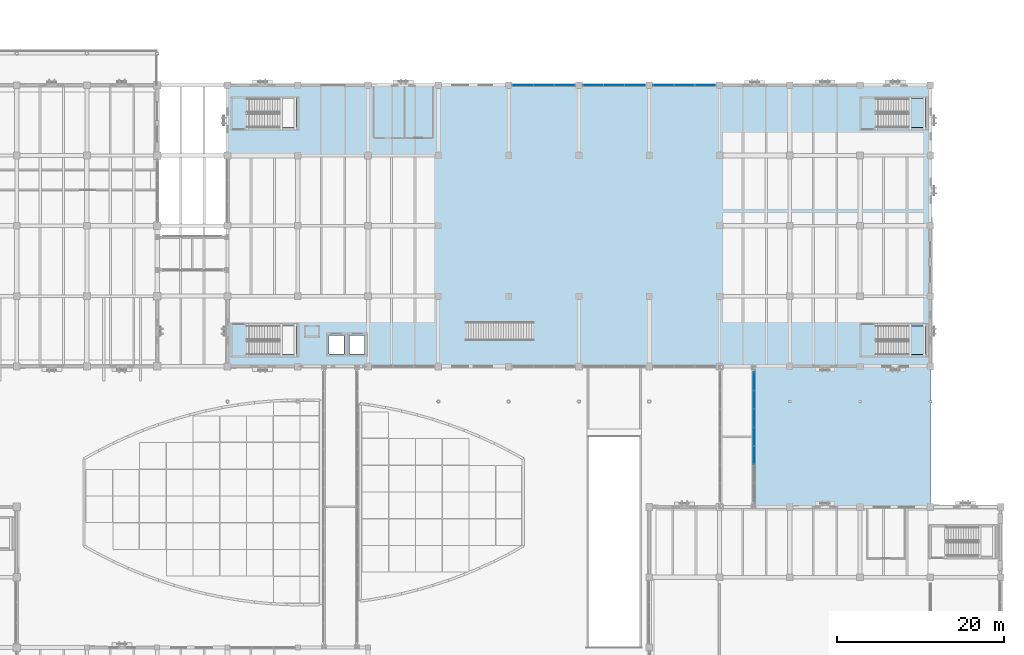
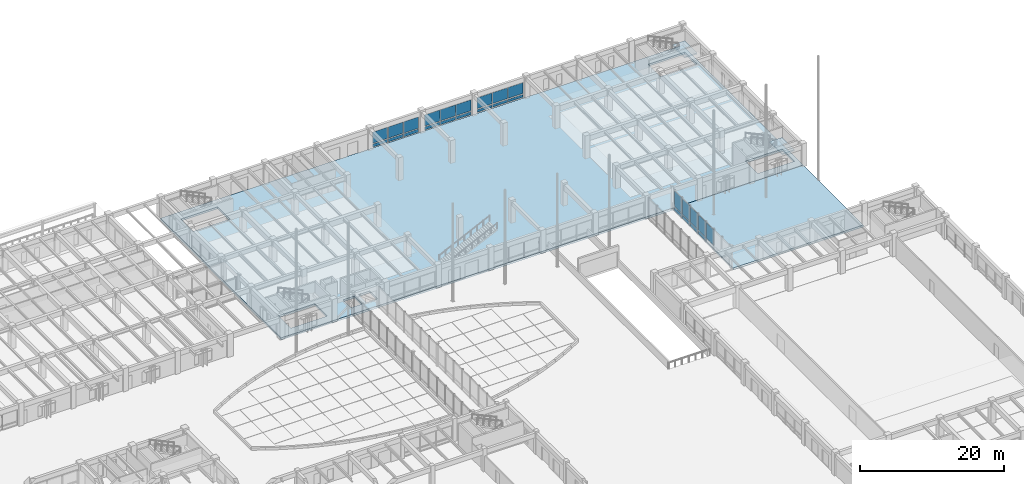
# One storey, part 71 of 135: 27 plates, 4 slabs, 6 elements without a shape of their own.
"""IFC4 building model written with IfcOpenShell, lengths in metres."""

from ifc_helpers import new_model, si_unit, direction, frame, origin, origin_2d, place, context, subcontext, project, spatial, polyline, rectangle, outline, extrude, material, layer, layer_set, type_object, element, aggregate, save


model = new_model("IFC4")

# Units and contexts
model_context = context("Model", 3, precision=1e-05, world=origin(), true_north=direction((0.0, 1.0)))
body_context = subcontext(model_context, "Body", "Model", "MODEL_VIEW")
ifc_project = project(units=[si_unit("LENGTHUNIT", "METRE"), si_unit("AREAUNIT", "SQUARE_METRE"), si_unit("VOLUMEUNIT", "CUBIC_METRE"), si_unit("PLANEANGLEUNIT", "RADIAN"), si_unit("MASSUNIT", "GRAM", prefix="KILO")], contexts=[model_context])

# Site, building, storey
site_placement = place(None, origin())
site = spatial("IfcSite", under=ifc_project, at=site_placement, CompositionType="ELEMENT")
building_placement = place(site_placement, origin())
building = spatial("IfcBuilding", under=site, at=building_placement, Name="Cumbredor Promenade Congress Hotel", CompositionType="ELEMENT")
storey_placement = place(building_placement, origin())
storey = spatial("IfcBuildingStorey", under=building, at=storey_placement, Name="L00", CompositionType="ELEMENT", Elevation=0.0)

# Stair, slab
ifc_material_1 = material(Name="Concrete C40/50", Category="concrete")
stair_type = type_object("IfcStairType", Name="Protected Dog-Leg Exit Stair ST-T3 1650mm", PredefinedType="HALF_TURN_STAIR", material=ifc_material_1)
stair_1_placement = place(storey_placement, origin())
stair_1 = element("IfcStair", 1, at=stair_1_placement, inside=storey, type_object=stair_type, Name="L00 Protected Exit Stair ST-14", PredefinedType="HALF_TURN_STAIR")
ifc_layer_1 = layer(ifc_material_1, 0.199951171875, Name="Concrete C40/50", Category="concrete")
ifc_layer_set_1 = layer_set([ifc_layer_1], Name="Concrete C40/50")
slab_type_1 = type_object("IfcSlabType", Name="Concrete Stair Landing Slab 200mm", PredefinedType="LANDING", material=ifc_layer_set_1)
slab_1_placement = place(storey_placement, frame((0.0, 0.0, 1.760009765625)))
slab_1 = element("IfcSlab", 2, at=slab_1_placement, type_object=slab_type_1, Name="ST-14 landing 1", PredefinedType="LANDING", context=body_context, shape_type="SweptSolid", body=[
    extrude(outline(polyline([(173.820068359375, 85.39990234375), (175.820068359375, 85.39990234375), (175.820068359375, 88.85009765625), (173.820068359375, 88.85009765625), (173.820068359375, 85.39990234375)])), origin(), (0.0, 0.0, 1.0), 0.199951171875),
])
aggregate(stair_1, [slab_1])

stair_2_placement = place(storey_placement, origin())
stair_2 = element("IfcStair", 3, at=stair_2_placement, inside=storey, type_object=stair_type, Name="L00 Protected Exit Stair ST-16", PredefinedType="HALF_TURN_STAIR")
slab_2_placement = place(storey_placement, frame((0.0, 0.0, 1.760009765625)))
slab_2 = element("IfcSlab", 4, at=slab_2_placement, type_object=slab_type_1, Name="ST-16 landing 1", PredefinedType="LANDING", context=body_context, shape_type="SweptSolid", body=[
    extrude(outline(polyline([(173.820068359375, 112.550048828125), (175.820068359375, 112.550048828125), (175.820068359375, 116.0), (173.820068359375, 116.0), (173.820068359375, 112.550048828125)])), origin(), (0.0, 0.0, 1.0), 0.199951171875),
])
aggregate(stair_2, [slab_2])

# Curtain wall, plates
ifc_material_2 = material(Name="Thermally broken anodized aluminium and low-E glass", Category="aluminium")
curtain_wall_type_1 = type_object("IfcCurtainWallType", Name="Unitised Bridge Glazing Screen CW-05", PredefinedType="NOTDEFINED", material=ifc_material_2)
curtain_wall_1_placement = place(storey_placement, origin())
curtain_wall_1 = element("IfcCurtainWall", 5, at=curtain_wall_1_placement, inside=storey, type_object=curtain_wall_type_1, Name="L00 East Ballroom-to-Forum Glazed Bridge East Glazing Screen", PredefinedType="NOTDEFINED")
ifc_material_3 = material(Name="Laminated low-E solar-control glass", Category="glass")
ifc_layer_2 = layer(ifc_material_3, 0.030029296875, Name="Laminated low-E solar-control glass", Category="glass")
ifc_layer_set_2 = layer_set([ifc_layer_2], Name="Laminated low-E solar-control glass")
plate_type_1 = type_object("IfcPlateType", Name="Glazed Bridge Panel PNL-04", PredefinedType="CURTAIN_PANEL", material=ifc_layer_set_2)
plate_1_placement = place(storey_placement, frame((155.320068359375, 73.388671875, 0.78515625), z_axis=(0.0, 0.0, 1.0), x_axis=(0.0, 1.0, 0.0)))
plate_1 = element("IfcPlate", 6, at=plate_1_placement, type_object=plate_type_1, Name="L00 East Ballroom-to-Forum Glazed Bridge East Glazing Screen Glazing Panel 3.2", PredefinedType="CURTAIN_PANEL", context=body_context, shape_type="SweptSolid", body=[
    extrude(rectangle(XDim=2.146484375, YDim=0.030029296875, at=origin_2d()), origin(), (0.0, 0.0, 1.0), 2.6298828125),
])
plate_2_placement = place(storey_placement, frame((155.320068359375, 75.60009765625, 0.78515625), z_axis=(0.0, 0.0, 1.0), x_axis=(0.0, 1.0, 0.0)))
plate_2 = element("IfcPlate", 7, at=plate_2_placement, type_object=plate_type_1, Name="L00 East Ballroom-to-Forum Glazed Bridge East Glazing Screen Glazing Panel 4.2", PredefinedType="CURTAIN_PANEL", context=body_context, shape_type="SweptSolid", body=[
    extrude(rectangle(XDim=2.146484375, YDim=0.030029296875, at=origin_2d()), origin(), (0.0, 0.0, 1.0), 2.6298828125),
])
plate_3_placement = place(storey_placement, frame((155.320068359375, 77.811279296875, 0.78515625), z_axis=(0.0, 0.0, 1.0), x_axis=(0.0, 1.0, 0.0)))
plate_3 = element("IfcPlate", 8, at=plate_3_placement, type_object=plate_type_1, Name="L00 East Ballroom-to-Forum Glazed Bridge East Glazing Screen Glazing Panel 5.2", PredefinedType="CURTAIN_PANEL", context=body_context, shape_type="SweptSolid", body=[
    extrude(rectangle(XDim=2.146484375, YDim=0.030029296875, at=origin_2d()), origin(), (0.0, 0.0, 1.0), 2.6298828125),
])
plate_4_placement = place(storey_placement, frame((155.320068359375, 80.02294921875, 0.78515625), z_axis=(0.0, 0.0, 1.0), x_axis=(0.0, 1.0, 0.0)))
plate_4 = element("IfcPlate", 9, at=plate_4_placement, type_object=plate_type_1, Name="L00 East Ballroom-to-Forum Glazed Bridge East Glazing Screen Glazing Panel 6.2", PredefinedType="CURTAIN_PANEL", context=body_context, shape_type="SweptSolid", body=[
    extrude(rectangle(XDim=2.146484375, YDim=0.030029296875, at=origin_2d()), origin(), (0.0, 0.0, 1.0), 2.6298828125),
])
plate_5_placement = place(storey_placement, frame((155.320068359375, 82.234375, 0.78515625), z_axis=(0.0, 0.0, 1.0), x_axis=(0.0, 1.0, 0.0)))
plate_5 = element("IfcPlate", 10, at=plate_5_placement, type_object=plate_type_1, Name="L00 East Ballroom-to-Forum Glazed Bridge East Glazing Screen Glazing Panel 7.2", PredefinedType="CURTAIN_PANEL", context=body_context, shape_type="SweptSolid", body=[
    extrude(rectangle(XDim=2.146484375, YDim=0.030029296875, at=origin_2d()), origin(), (0.0, 0.0, 1.0), 2.6298828125),
])

curtain_wall_type_2 = type_object("IfcCurtainWallType", Name="Unitised Grand Foyer Curtain Wall CW-04", PredefinedType="NOTDEFINED", material=ifc_material_2)
curtain_wall_2_placement = place(storey_placement, origin())
curtain_wall_2 = element("IfcCurtainWall", 11, at=curtain_wall_2_placement, inside=storey, type_object=curtain_wall_type_2, Name="L00 Pre-Function and Breakout Meeting Forum North Curtain Wall 5", PredefinedType="NOTDEFINED")
ifc_layer_3 = layer(ifc_material_3, 0.028076171875, Name="Laminated low-E solar-control glass", Category="glass")
ifc_layer_set_3 = layer_set([ifc_layer_3], Name="Laminated low-E solar-control glass")
plate_type_2 = type_object("IfcPlateType", Name="Glazed Vision Panel PNL-01", PredefinedType="CURTAIN_PANEL", material=ifc_layer_set_3)
plate_6_placement = place(storey_placement, frame((127.703369140625, 117.60009765625, 0.78515625), z_axis=(0.0, 0.0, 1.0), x_axis=(1.0, 0.0, 0.0)))
plate_6 = element("IfcPlate", 12, at=plate_6_placement, type_object=plate_type_2, Name="L00 Pre-Function and Breakout Meeting Forum North Curtain Wall 5 Glazing Panel 1.2", PredefinedType="CURTAIN_PANEL", context=body_context, shape_type="SweptSolid", body=[
    extrude(rectangle(XDim=2.431640625, YDim=0.028076171875, at=origin_2d()), origin(), (0.0, 0.0, 1.0), 1.909912109375),
])
plate_7_placement = place(storey_placement, frame((130.199951171875, 117.60009765625, 0.78515625), z_axis=(0.0, 0.0, 1.0), x_axis=(1.0, 0.0, 0.0)))
plate_7 = element("IfcPlate", 13, at=plate_7_placement, type_object=plate_type_2, Name="L00 Pre-Function and Breakout Meeting Forum North Curtain Wall 5 Glazing Panel 2.2", PredefinedType="CURTAIN_PANEL", context=body_context, shape_type="SweptSolid", body=[
    extrude(rectangle(XDim=2.431640625, YDim=0.028076171875, at=origin_2d()), origin(), (0.0, 0.0, 1.0), 1.909912109375),
])
plate_8_placement = place(storey_placement, frame((132.696533203125, 117.60009765625, 0.78515625), z_axis=(0.0, 0.0, 1.0), x_axis=(1.0, 0.0, 0.0)))
plate_8 = element("IfcPlate", 14, at=plate_8_placement, type_object=plate_type_2, Name="L00 Pre-Function and Breakout Meeting Forum North Curtain Wall 5 Glazing Panel 3.2", PredefinedType="CURTAIN_PANEL", context=body_context, shape_type="SweptSolid", body=[
    extrude(rectangle(XDim=2.431640625, YDim=0.028076171875, at=origin_2d()), origin(), (0.0, 0.0, 1.0), 1.909912109375),
])

curtain_wall_3_placement = place(storey_placement, origin())
curtain_wall_3 = element("IfcCurtainWall", 15, at=curtain_wall_3_placement, inside=storey, type_object=curtain_wall_type_2, Name="L00 Pre-Function and Breakout Meeting Forum North Curtain Wall 6", PredefinedType="NOTDEFINED")
ifc_layer_4 = layer(ifc_material_3, 0.031982421875, Name="Laminated low-E solar-control glass", Category="glass")
ifc_layer_set_4 = layer_set([ifc_layer_4], Name="Laminated low-E solar-control glass")
plate_type_3 = type_object("IfcPlateType", Name="Glazed Vision Panel PNL-02", PredefinedType="CURTAIN_PANEL", material=ifc_layer_set_4)
plate_9_placement = place(storey_placement, frame((136.103515625, 117.60009765625, 0.795166015625), z_axis=(0.0, 0.0, 1.0), x_axis=(1.0, 0.0, 0.0)))
plate_9 = element("IfcPlate", 16, at=plate_9_placement, type_object=plate_type_3, Name="L00 Pre-Function and Breakout Meeting Forum North Curtain Wall 6 Glazing Panel 1.2", PredefinedType="CURTAIN_PANEL", context=body_context, shape_type="SweptSolid", body=[
    extrude(rectangle(XDim=2.421630859375, YDim=0.031982421875, at=origin_2d()), origin(), (0.0, 0.0, 1.0), 1.8798828125),
])
plate_10_placement = place(storey_placement, frame((138.60009765625, 117.60009765625, 0.795166015625), z_axis=(0.0, 0.0, 1.0), x_axis=(1.0, 0.0, 0.0)))
plate_10 = element("IfcPlate", 17, at=plate_10_placement, type_object=plate_type_3, Name="L00 Pre-Function and Breakout Meeting Forum North Curtain Wall 6 Glazing Panel 2.2", PredefinedType="CURTAIN_PANEL", context=body_context, shape_type="SweptSolid", body=[
    extrude(rectangle(XDim=2.421630859375, YDim=0.031982421875, at=origin_2d()), origin(), (0.0, 0.0, 1.0), 1.8798828125),
])
plate_11_placement = place(storey_placement, frame((141.0966796875, 117.60009765625, 0.795166015625), z_axis=(0.0, 0.0, 1.0), x_axis=(1.0, 0.0, 0.0)))
plate_11 = element("IfcPlate", 18, at=plate_11_placement, type_object=plate_type_3, Name="L00 Pre-Function and Breakout Meeting Forum North Curtain Wall 6 Glazing Panel 3.2", PredefinedType="CURTAIN_PANEL", context=body_context, shape_type="SweptSolid", body=[
    extrude(rectangle(XDim=2.421630859375, YDim=0.031982421875, at=origin_2d()), origin(), (0.0, 0.0, 1.0), 1.8798828125),
])

curtain_wall_4_placement = place(storey_placement, origin())
curtain_wall_4 = element("IfcCurtainWall", 19, at=curtain_wall_4_placement, inside=storey, type_object=curtain_wall_type_2, Name="L00 Pre-Function and Breakout Meeting Forum North Curtain Wall 7", PredefinedType="NOTDEFINED")
ifc_layer_5 = layer(ifc_material_3, 0.028076171875, Name="Laminated low-E solar-control glass", Category="glass")
ifc_layer_set_5 = layer_set([ifc_layer_5], Name="Laminated low-E solar-control glass")
plate_type_4 = type_object("IfcPlateType", Name="Glazed Vision Panel PNL-03", PredefinedType="CURTAIN_PANEL", material=ifc_layer_set_5)
plate_12_placement = place(storey_placement, frame((144.50341796875, 117.60009765625, 0.81005859375), z_axis=(0.0, 0.0, 1.0), x_axis=(1.0, 0.0, 0.0)))
plate_12 = element("IfcPlate", 20, at=plate_12_placement, type_object=plate_type_4, Name="L00 Pre-Function and Breakout Meeting Forum North Curtain Wall 7 Glazing Panel 1.2", PredefinedType="CURTAIN_PANEL", context=body_context, shape_type="SweptSolid", body=[
    extrude(rectangle(XDim=2.416748046875, YDim=0.028076171875, at=origin_2d()), origin(), (0.0, 0.0, 1.0), 1.840087890625),
])
plate_13_placement = place(storey_placement, frame((147.0, 117.60009765625, 0.81005859375), z_axis=(0.0, 0.0, 1.0), x_axis=(1.0, 0.0, 0.0)))
plate_13 = element("IfcPlate", 21, at=plate_13_placement, type_object=plate_type_4, Name="L00 Pre-Function and Breakout Meeting Forum North Curtain Wall 7 Glazing Panel 2.2", PredefinedType="CURTAIN_PANEL", context=body_context, shape_type="SweptSolid", body=[
    extrude(rectangle(XDim=2.41650390625, YDim=0.028076171875, at=origin_2d()), origin(), (0.0, 0.0, 1.0), 1.840087890625),
])
plate_14_placement = place(storey_placement, frame((149.49658203125, 117.60009765625, 0.81005859375), z_axis=(0.0, 0.0, 1.0), x_axis=(1.0, 0.0, 0.0)))
plate_14 = element("IfcPlate", 22, at=plate_14_placement, type_object=plate_type_4, Name="L00 Pre-Function and Breakout Meeting Forum North Curtain Wall 7 Glazing Panel 3.2", PredefinedType="CURTAIN_PANEL", context=body_context, shape_type="SweptSolid", body=[
    extrude(rectangle(XDim=2.416748046875, YDim=0.028076171875, at=origin_2d()), origin(), (0.0, 0.0, 1.0), 1.840087890625),
])

# Slab
ifc_layer_6 = layer(ifc_material_1, 0.35009765625, Name="Concrete C40/50", Category="concrete")
ifc_layer_set_6 = layer_set([ifc_layer_6], Name="Concrete C40/50")
slab_type_2 = type_object("IfcSlabType", Name="Ground Floor Slab 350mm", PredefinedType="FLOOR", material=ifc_layer_set_6)
slab_3_placement = place(storey_placement, frame((0.0, 0.0, -0.35009765625)))
element("IfcSlab", 23, at=slab_3_placement, inside=storey, type_object=slab_type_2, Name="L00 Pre-Function and Breakout Meeting Forum Floor Slab", PredefinedType="FLOOR", context=body_context, shape_type="SweptSolid", body=[
    extrude(outline(polyline([(92.39990234375, 84.0), (176.39990234375, 84.0), (176.39990234375, 117.60009765625), (92.39990234375, 117.60009765625), (92.39990234375, 84.0)]), holes=[polyline([(94.75, 85.39990234375), (100.64990234375, 85.39990234375), (100.64990234375, 88.85009765625), (94.75, 88.85009765625), (94.75, 85.39990234375)]), polyline([(169.919921875, 85.39990234375), (175.820068359375, 85.39990234375), (175.820068359375, 88.85009765625), (169.919921875, 88.85009765625), (169.919921875, 85.39990234375)]), polyline([(94.75, 112.550048828125), (100.64990234375, 112.550048828125), (100.64990234375, 116.0), (94.75, 116.0), (94.75, 112.550048828125)]), polyline([(169.919921875, 112.550048828125), (175.820068359375, 112.550048828125), (175.820068359375, 116.0), (169.919921875, 116.0), (169.919921875, 112.550048828125)]), polyline([(104.5, 85.5), (106.300048828125, 85.5), (106.300048828125, 87.699951171875), (104.5, 87.699951171875), (104.5, 85.5)]), polyline([(107.0, 85.5), (108.800048828125, 85.5), (108.800048828125, 87.699951171875), (107.0, 87.699951171875), (107.0, 85.5)])]), origin(), (0.0, 0.0, 1.0), 0.35009765625),
])

# Plate
ifc_material_4 = material(Name="Thermally broken anodized aluminium", Category="aluminium")
ifc_layer_7 = layer(ifc_material_4, 0.0400390625, Name="Thermally broken anodized aluminium", Category="aluminium")
ifc_layer_set_7 = layer_set([ifc_layer_7], Name="Thermally broken anodized aluminium")
plate_type_5 = type_object("IfcPlateType", Name="Insulated Spandrel Panel PNL-05", PredefinedType="CURTAIN_PANEL", material=ifc_layer_set_7)
plate_15_placement = place(storey_placement, frame((136.103515625, 117.60009765625, 0.14501953125), z_axis=(0.0, 0.0, 1.0), x_axis=(1.0, 0.0, 0.0)))
plate_15 = element("IfcPlate", 24, at=plate_15_placement, type_object=plate_type_5, Name="L00 Pre-Function and Breakout Meeting Forum North Curtain Wall 6 Spandrel Panel 1.1", PredefinedType="CURTAIN_PANEL", context=body_context, shape_type="SweptSolid", body=[
    extrude(rectangle(XDim=2.421630859375, YDim=0.0400390625, at=origin_2d()), origin(), (0.0, 0.0, 1.0), 0.5),
])

plate_16_placement = place(storey_placement, frame((138.60009765625, 117.60009765625, 0.14501953125), z_axis=(0.0, 0.0, 1.0), x_axis=(1.0, 0.0, 0.0)))
plate_16 = element("IfcPlate", 25, at=plate_16_placement, type_object=plate_type_5, Name="L00 Pre-Function and Breakout Meeting Forum North Curtain Wall 6 Spandrel Panel 2.1", PredefinedType="CURTAIN_PANEL", context=body_context, shape_type="SweptSolid", body=[
    extrude(rectangle(XDim=2.421630859375, YDim=0.0400390625, at=origin_2d()), origin(), (0.0, 0.0, 1.0), 0.5),
])

plate_17_placement = place(storey_placement, frame((141.0966796875, 117.60009765625, 0.14501953125), z_axis=(0.0, 0.0, 1.0), x_axis=(1.0, 0.0, 0.0)))
plate_17 = element("IfcPlate", 26, at=plate_17_placement, type_object=plate_type_5, Name="L00 Pre-Function and Breakout Meeting Forum North Curtain Wall 6 Spandrel Panel 3.1", PredefinedType="CURTAIN_PANEL", context=body_context, shape_type="SweptSolid", body=[
    extrude(rectangle(XDim=2.421630859375, YDim=0.0400390625, at=origin_2d()), origin(), (0.0, 0.0, 1.0), 0.5),
])

aggregate(curtain_wall_3, [plate_15, plate_9, plate_16, plate_10, plate_17, plate_11])

ifc_layer_8 = layer(ifc_material_4, 0.0400390625, Name="Thermally broken anodized aluminium", Category="aluminium")
ifc_layer_set_8 = layer_set([ifc_layer_8], Name="Thermally broken anodized aluminium")
plate_type_6 = type_object("IfcPlateType", Name="Insulated Spandrel Panel PNL-06", PredefinedType="CURTAIN_PANEL", material=ifc_layer_set_8)
plate_18_placement = place(storey_placement, frame((127.703369140625, 117.60009765625, 0.135009765625), z_axis=(0.0, 0.0, 1.0), x_axis=(1.0, 0.0, 0.0)))
plate_18 = element("IfcPlate", 27, at=plate_18_placement, type_object=plate_type_6, Name="L00 Pre-Function and Breakout Meeting Forum North Curtain Wall 5 Spandrel Panel 1.1", PredefinedType="CURTAIN_PANEL", context=body_context, shape_type="SweptSolid", body=[
    extrude(rectangle(XDim=2.431640625, YDim=0.0400390625, at=origin_2d()), origin(), (0.0, 0.0, 1.0), 0.52001953125),
])

plate_19_placement = place(storey_placement, frame((130.199951171875, 117.60009765625, 0.135009765625), z_axis=(0.0, 0.0, 1.0), x_axis=(1.0, 0.0, 0.0)))
plate_19 = element("IfcPlate", 28, at=plate_19_placement, type_object=plate_type_6, Name="L00 Pre-Function and Breakout Meeting Forum North Curtain Wall 5 Spandrel Panel 2.1", PredefinedType="CURTAIN_PANEL", context=body_context, shape_type="SweptSolid", body=[
    extrude(rectangle(XDim=2.431640625, YDim=0.0400390625, at=origin_2d()), origin(), (0.0, 0.0, 1.0), 0.52001953125),
])

plate_20_placement = place(storey_placement, frame((132.696533203125, 117.60009765625, 0.135009765625), z_axis=(0.0, 0.0, 1.0), x_axis=(1.0, 0.0, 0.0)))
plate_20 = element("IfcPlate", 29, at=plate_20_placement, type_object=plate_type_6, Name="L00 Pre-Function and Breakout Meeting Forum North Curtain Wall 5 Spandrel Panel 3.1", PredefinedType="CURTAIN_PANEL", context=body_context, shape_type="SweptSolid", body=[
    extrude(rectangle(XDim=2.431640625, YDim=0.0400390625, at=origin_2d()), origin(), (0.0, 0.0, 1.0), 0.52001953125),
])

aggregate(curtain_wall_2, [plate_18, plate_6, plate_19, plate_7, plate_20, plate_8])

plate_21_placement = place(storey_placement, frame((144.50341796875, 117.60009765625, 0.18017578125), z_axis=(0.0, 0.0, 1.0), x_axis=(1.0, 0.0, 0.0)))
plate_21 = element("IfcPlate", 30, at=plate_21_placement, type_object=plate_type_6, Name="L00 Pre-Function and Breakout Meeting Forum North Curtain Wall 7 Spandrel Panel 1.1", PredefinedType="CURTAIN_PANEL", context=body_context, shape_type="SweptSolid", body=[
    extrude(rectangle(XDim=2.416748046875, YDim=0.0400390625, at=origin_2d()), origin(), (0.0, 0.0, 1.0), 0.449951171875),
])

plate_22_placement = place(storey_placement, frame((147.0, 117.60009765625, 0.18017578125), z_axis=(0.0, 0.0, 1.0), x_axis=(1.0, 0.0, 0.0)))
plate_22 = element("IfcPlate", 31, at=plate_22_placement, type_object=plate_type_6, Name="L00 Pre-Function and Breakout Meeting Forum North Curtain Wall 7 Spandrel Panel 2.1", PredefinedType="CURTAIN_PANEL", context=body_context, shape_type="SweptSolid", body=[
    extrude(rectangle(XDim=2.41650390625, YDim=0.0400390625, at=origin_2d()), origin(), (0.0, 0.0, 1.0), 0.449951171875),
])

plate_23_placement = place(storey_placement, frame((149.49658203125, 117.60009765625, 0.18017578125), z_axis=(0.0, 0.0, 1.0), x_axis=(1.0, 0.0, 0.0)))
plate_23 = element("IfcPlate", 32, at=plate_23_placement, type_object=plate_type_6, Name="L00 Pre-Function and Breakout Meeting Forum North Curtain Wall 7 Spandrel Panel 3.1", PredefinedType="CURTAIN_PANEL", context=body_context, shape_type="SweptSolid", body=[
    extrude(rectangle(XDim=2.416748046875, YDim=0.0400390625, at=origin_2d()), origin(), (0.0, 0.0, 1.0), 0.449951171875),
])

aggregate(curtain_wall_4, [plate_21, plate_12, plate_22, plate_13, plate_23, plate_14])

plate_24_placement = place(storey_placement, frame((155.320068359375, 75.60009765625, 0.135009765625), z_axis=(0.0, 0.0, 1.0), x_axis=(0.0, 1.0, 0.0)))
plate_24 = element("IfcPlate", 33, at=plate_24_placement, type_object=plate_type_6, Name="L00 East Ballroom-to-Forum Glazed Bridge East Glazing Screen Spandrel Panel 4.1", PredefinedType="CURTAIN_PANEL", context=body_context, shape_type="SweptSolid", body=[
    extrude(rectangle(XDim=2.146484375, YDim=0.0400390625, at=origin_2d()), origin(), (0.0, 0.0, 1.0), 0.52001953125),
])

plate_25_placement = place(storey_placement, frame((155.320068359375, 77.811279296875, 0.135009765625), z_axis=(0.0, 0.0, 1.0), x_axis=(0.0, 1.0, 0.0)))
plate_25 = element("IfcPlate", 34, at=plate_25_placement, type_object=plate_type_6, Name="L00 East Ballroom-to-Forum Glazed Bridge East Glazing Screen Spandrel Panel 5.1", PredefinedType="CURTAIN_PANEL", context=body_context, shape_type="SweptSolid", body=[
    extrude(rectangle(XDim=2.146484375, YDim=0.0400390625, at=origin_2d()), origin(), (0.0, 0.0, 1.0), 0.52001953125),
])

plate_26_placement = place(storey_placement, frame((155.320068359375, 80.02294921875, 0.135009765625), z_axis=(0.0, 0.0, 1.0), x_axis=(0.0, 1.0, 0.0)))
plate_26 = element("IfcPlate", 35, at=plate_26_placement, type_object=plate_type_6, Name="L00 East Ballroom-to-Forum Glazed Bridge East Glazing Screen Spandrel Panel 6.1", PredefinedType="CURTAIN_PANEL", context=body_context, shape_type="SweptSolid", body=[
    extrude(rectangle(XDim=2.146484375, YDim=0.0400390625, at=origin_2d()), origin(), (0.0, 0.0, 1.0), 0.52001953125),
])

plate_27_placement = place(storey_placement, frame((155.320068359375, 82.234375, 0.135009765625), z_axis=(0.0, 0.0, 1.0), x_axis=(0.0, 1.0, 0.0)))
plate_27 = element("IfcPlate", 36, at=plate_27_placement, type_object=plate_type_6, Name="L00 East Ballroom-to-Forum Glazed Bridge East Glazing Screen Spandrel Panel 7.1", PredefinedType="CURTAIN_PANEL", context=body_context, shape_type="SweptSolid", body=[
    extrude(rectangle(XDim=2.146484375, YDim=0.0400390625, at=origin_2d()), origin(), (0.0, 0.0, 1.0), 0.52001953125),
])

aggregate(curtain_wall_1, [plate_1, plate_24, plate_2, plate_25, plate_3, plate_26, plate_4, plate_27, plate_5])

# Slab
ifc_layer_9 = layer(ifc_material_1, 0.31005859375, Name="Concrete C40/50", Category="concrete")
ifc_layer_set_9 = layer_set([ifc_layer_9], Name="Concrete C40/50")
slab_type_3 = type_object("IfcSlabType", Name="Reflecting Pool Basin Slab 310mm", PredefinedType="FLOOR", material=ifc_layer_set_9)
slab_4_placement = place(storey_placement, frame((0.0, 0.0, -0.35009765625)))
element("IfcSlab", 37, at=slab_4_placement, inside=storey, type_object=slab_type_3, Name="L00 Central Reflecting-Pool Courtyard Plaza Slab 2", PredefinedType="FLOOR", context=body_context, shape_type="SweptSolid", body=[
    extrude(outline(polyline([(176.39990234375, 67.199951171875), (155.47998046875, 67.199951171875), (155.47998046875, 84.0), (176.39990234375, 84.0), (176.39990234375, 67.199951171875)])), origin(), (0.0, 0.0, 1.0), 0.35009765625),
])

save(model, "model.ifc")
